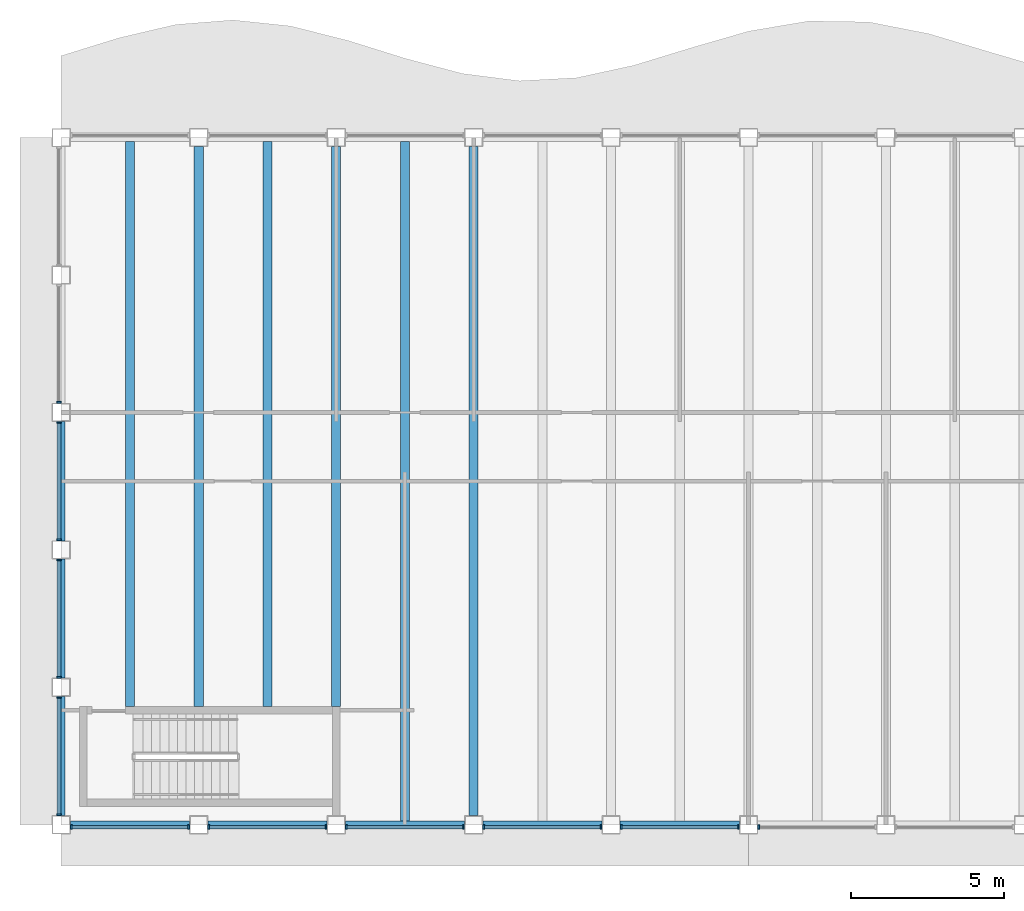
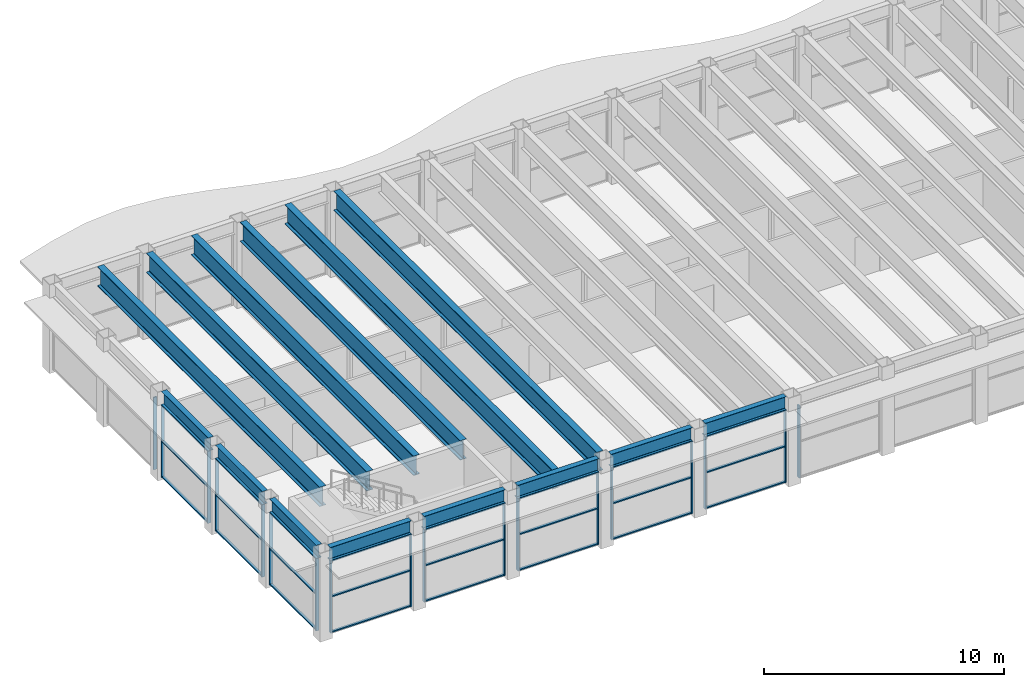
# One storey, part 2 of 15: 42 members, 14 beams, 10 elements without a shape of their own.
"""IFC4 building model written with IfcOpenShell, lengths in metres."""

from ifc_helpers import new_model, si_unit, direction, frame, origin, origin_2d, place, context, subcontext, project, spatial, rectangle, i_section, extrude, material, material_profile, profile_set, type_object, element, aggregate, save


model = new_model("IFC4")

# Units and contexts
model_context = context("Model", 3, precision=1e-05, world=origin(), true_north=direction((0.0, 1.0)))
body_context = subcontext(model_context, "Body", "Model", "MODEL_VIEW")
ifc_project = project(units=[si_unit("LENGTHUNIT", "METRE"), si_unit("AREAUNIT", "SQUARE_METRE"), si_unit("VOLUMEUNIT", "CUBIC_METRE"), si_unit("PLANEANGLEUNIT", "RADIAN"), si_unit("MASSUNIT", "GRAM", prefix="KILO")], contexts=[model_context])

# Site, building, storey
site_placement = place(None, origin())
site = spatial("IfcSite", under=ifc_project, at=site_placement, CompositionType="ELEMENT")
building_placement = place(site_placement, origin())
building = spatial("IfcBuilding", under=site, at=building_placement, Name="Sennacour Bend Tower", CompositionType="ELEMENT")
storey_placement = place(building_placement, frame((0.0, 0.0, 323.0)))
storey = spatial("IfcBuildingStorey", under=building, at=storey_placement, Name="L74", CompositionType="ELEMENT", Elevation=323.0)

# Curtain wall, members
ifc_material_1 = material(Name="Bronze anodised aluminium curtain wall with clear glass", Category="aluminium")
curtain_wall_type = type_object("IfcCurtainWallType", Name="CURTAIN WALL EXEC", PredefinedType="NOTDEFINED", material=ifc_material_1)
curtain_wall_1_placement = place(storey_placement, origin())
curtain_wall_1 = element("IfcCurtainWall", 1, at=curtain_wall_1_placement, inside=storey, type_object=curtain_wall_type, Name="Executive floor glass wall L74", PredefinedType="NOTDEFINED")
ifc_material_2 = material(Name="Aluminium 6063-T6", Category="aluminium")
ifc_material_profile_1 = material_profile(ifc_material_2, rectangle(XDim=0.14990234375, YDim=0.06005859375, at=origin_2d()), Name="Aluminium 6063-T6", Category="aluminium")
ifc_profile_set_1 = profile_set([ifc_material_profile_1], Name="Aluminium 6063-T6")
member_type_1 = type_object("IfcMemberType", Name="CW-MULLION-150X60", PredefinedType="MULLION", material=ifc_profile_set_1)
member_1_placement = place(storey_placement, frame((0.330078125, -0.074951171875, 0.0), z_axis=(0.0, 0.0, 1.0), x_axis=(0.0, 1.0, 0.0)))
member_1 = element("IfcMember", 2, at=member_1_placement, type_object=member_type_1, Name="GW3 curtain wall mullion 1", PredefinedType="MULLION", context=body_context, shape_type="SweptSolid", body=[
    extrude(rectangle(XDim=0.14990234375, YDim=0.06005859375, at=origin_2d()), origin(), (0.0, 0.0, 1.0), 3.672119140625),
])
member_2_placement = place(storey_placement, frame((4.169921875, -0.074951171875, 0.0), z_axis=(0.0, 0.0, 1.0), x_axis=(0.0, 1.0, 0.0)))
member_2 = element("IfcMember", 3, at=member_2_placement, type_object=member_type_1, Name="GW3 curtain wall mullion 2", PredefinedType="MULLION", context=body_context, shape_type="SweptSolid", body=[
    extrude(rectangle(XDim=0.14990234375, YDim=0.06005859375, at=origin_2d()), origin(), (0.0, 0.0, 1.0), 3.672119140625),
])

curtain_wall_2_placement = place(storey_placement, origin())
curtain_wall_2 = element("IfcCurtainWall", 4, at=curtain_wall_2_placement, inside=storey, type_object=curtain_wall_type, Name="Executive floor glass wall L74", PredefinedType="NOTDEFINED")
member_3_placement = place(storey_placement, frame((4.830078125, -0.074951171875, 0.0), z_axis=(0.0, 0.0, 1.0), x_axis=(0.0, 1.0, 0.0)))
member_3 = element("IfcMember", 5, at=member_3_placement, type_object=member_type_1, Name="GW3 curtain wall mullion 1", PredefinedType="MULLION", context=body_context, shape_type="SweptSolid", body=[
    extrude(rectangle(XDim=0.14990234375, YDim=0.06005859375, at=origin_2d()), origin(), (0.0, 0.0, 1.0), 3.672119140625),
])
member_4_placement = place(storey_placement, frame((8.669921875, -0.074951171875, 0.0), z_axis=(0.0, 0.0, 1.0), x_axis=(0.0, 1.0, 0.0)))
member_4 = element("IfcMember", 6, at=member_4_placement, type_object=member_type_1, Name="GW3 curtain wall mullion 2", PredefinedType="MULLION", context=body_context, shape_type="SweptSolid", body=[
    extrude(rectangle(XDim=0.14990234375, YDim=0.06005859375, at=origin_2d()), origin(), (0.0, 0.0, 1.0), 3.672119140625),
])

curtain_wall_3_placement = place(storey_placement, origin())
curtain_wall_3 = element("IfcCurtainWall", 7, at=curtain_wall_3_placement, inside=storey, type_object=curtain_wall_type, Name="Executive floor glass wall L74", PredefinedType="NOTDEFINED")
member_5_placement = place(storey_placement, frame((9.330078125, -0.074951171875, 0.0), z_axis=(0.0, 0.0, 1.0), x_axis=(0.0, 1.0, 0.0)))
member_5 = element("IfcMember", 8, at=member_5_placement, type_object=member_type_1, Name="GW3 curtain wall mullion 1", PredefinedType="MULLION", context=body_context, shape_type="SweptSolid", body=[
    extrude(rectangle(XDim=0.14990234375, YDim=0.06005859375, at=origin_2d()), origin(), (0.0, 0.0, 1.0), 3.672119140625),
])
member_6_placement = place(storey_placement, frame((13.169921875, -0.074951171875, 0.0), z_axis=(0.0, 0.0, 1.0), x_axis=(0.0, 1.0, 0.0)))
member_6 = element("IfcMember", 9, at=member_6_placement, type_object=member_type_1, Name="GW3 curtain wall mullion 2", PredefinedType="MULLION", context=body_context, shape_type="SweptSolid", body=[
    extrude(rectangle(XDim=0.14990234375, YDim=0.06005859375, at=origin_2d()), origin(), (0.0, 0.0, 1.0), 3.672119140625),
])

curtain_wall_4_placement = place(storey_placement, origin())
curtain_wall_4 = element("IfcCurtainWall", 10, at=curtain_wall_4_placement, inside=storey, type_object=curtain_wall_type, Name="Executive floor glass wall L74", PredefinedType="NOTDEFINED")
member_7_placement = place(storey_placement, frame((13.830078125, -0.074951171875, 0.0), z_axis=(0.0, 0.0, 1.0), x_axis=(0.0, 1.0, 0.0)))
member_7 = element("IfcMember", 11, at=member_7_placement, type_object=member_type_1, Name="GW3 curtain wall mullion 1", PredefinedType="MULLION", context=body_context, shape_type="SweptSolid", body=[
    extrude(rectangle(XDim=0.14990234375, YDim=0.06005859375, at=origin_2d()), origin(), (0.0, 0.0, 1.0), 3.672119140625),
])
member_8_placement = place(storey_placement, frame((17.669921875, -0.074951171875, 0.0), z_axis=(0.0, 0.0, 1.0), x_axis=(0.0, 1.0, 0.0)))
member_8 = element("IfcMember", 12, at=member_8_placement, type_object=member_type_1, Name="GW3 curtain wall mullion 2", PredefinedType="MULLION", context=body_context, shape_type="SweptSolid", body=[
    extrude(rectangle(XDim=0.14990234375, YDim=0.06005859375, at=origin_2d()), origin(), (0.0, 0.0, 1.0), 3.672119140625),
])

curtain_wall_5_placement = place(storey_placement, origin())
curtain_wall_5 = element("IfcCurtainWall", 13, at=curtain_wall_5_placement, inside=storey, type_object=curtain_wall_type, Name="Executive floor glass wall L74", PredefinedType="NOTDEFINED")
member_9_placement = place(storey_placement, frame((18.330078125, -0.074951171875, 0.0), z_axis=(0.0, 0.0, 1.0), x_axis=(0.0, 1.0, 0.0)))
member_9 = element("IfcMember", 14, at=member_9_placement, type_object=member_type_1, Name="GW3 curtain wall mullion 1", PredefinedType="MULLION", context=body_context, shape_type="SweptSolid", body=[
    extrude(rectangle(XDim=0.14990234375, YDim=0.06005859375, at=origin_2d()), origin(), (0.0, 0.0, 1.0), 3.672119140625),
])
member_10_placement = place(storey_placement, frame((22.169921875, -0.074951171875, 0.0), z_axis=(0.0, 0.0, 1.0), x_axis=(0.0, 1.0, 0.0)))
member_10 = element("IfcMember", 15, at=member_10_placement, type_object=member_type_1, Name="GW3 curtain wall mullion 2", PredefinedType="MULLION", context=body_context, shape_type="SweptSolid", body=[
    extrude(rectangle(XDim=0.14990234375, YDim=0.06005859375, at=origin_2d()), origin(), (0.0, 0.0, 1.0), 3.672119140625),
])

# Curtain wall, member
curtain_wall_6_placement = place(storey_placement, origin())
curtain_wall_6 = element("IfcCurtainWall", 16, at=curtain_wall_6_placement, inside=storey, type_object=curtain_wall_type, Name="Executive floor glass wall L74", PredefinedType="NOTDEFINED")
member_11_placement = place(storey_placement, frame((22.830078125, -0.074951171875, 0.0), z_axis=(0.0, 0.0, 1.0), x_axis=(0.0, 1.0, 0.0)))
member_11 = element("IfcMember", 17, at=member_11_placement, type_object=member_type_1, Name="GW3 curtain wall mullion 1", PredefinedType="MULLION", context=body_context, shape_type="SweptSolid", body=[
    extrude(rectangle(XDim=0.14990234375, YDim=0.06005859375, at=origin_2d()), origin(), (0.0, 0.0, 1.0), 3.672119140625),
])
aggregate(curtain_wall_6, [member_11])

curtain_wall_7_placement = place(storey_placement, origin())
curtain_wall_7 = element("IfcCurtainWall", 18, at=curtain_wall_7_placement, inside=storey, type_object=curtain_wall_type, Name="Executive floor glass wall L74", PredefinedType="NOTDEFINED")
member_12_placement = place(storey_placement, frame((-0.074951171875, 13.830078125, 0.0), z_axis=(0.0, 0.0, 1.0), x_axis=(1.0, 0.0, 0.0)))
member_12 = element("IfcMember", 19, at=member_12_placement, type_object=member_type_1, Name="GW3 curtain wall mullion 2", PredefinedType="MULLION", context=body_context, shape_type="SweptSolid", body=[
    extrude(rectangle(XDim=0.14990234375, YDim=0.06005859375, at=origin_2d()), origin(), (0.0, 0.0, 1.0), 3.672119140625),
])
aggregate(curtain_wall_7, [member_12])

# Curtain wall, members
curtain_wall_8_placement = place(storey_placement, origin())
curtain_wall_8 = element("IfcCurtainWall", 20, at=curtain_wall_8_placement, inside=storey, type_object=curtain_wall_type, Name="Executive floor glass wall L74", PredefinedType="NOTDEFINED")
member_13_placement = place(storey_placement, frame((-0.074951171875, 13.169921875, 0.0), z_axis=(0.0, 0.0, 1.0), x_axis=(1.0, 0.0, 0.0)))
member_13 = element("IfcMember", 21, at=member_13_placement, type_object=member_type_1, Name="GW3 curtain wall mullion 1", PredefinedType="MULLION", context=body_context, shape_type="SweptSolid", body=[
    extrude(rectangle(XDim=0.14990234375, YDim=0.06005859375, at=origin_2d()), origin(), (0.0, 0.0, 1.0), 3.672119140625),
])
member_14_placement = place(storey_placement, frame((-0.074951171875, 9.330078125, 0.0), z_axis=(0.0, 0.0, 1.0), x_axis=(1.0, 0.0, 0.0)))
member_14 = element("IfcMember", 22, at=member_14_placement, type_object=member_type_1, Name="GW3 curtain wall mullion 2", PredefinedType="MULLION", context=body_context, shape_type="SweptSolid", body=[
    extrude(rectangle(XDim=0.14990234375, YDim=0.06005859375, at=origin_2d()), origin(), (0.0, 0.0, 1.0), 3.672119140625),
])

curtain_wall_9_placement = place(storey_placement, origin())
curtain_wall_9 = element("IfcCurtainWall", 23, at=curtain_wall_9_placement, inside=storey, type_object=curtain_wall_type, Name="Executive floor glass wall L74", PredefinedType="NOTDEFINED")
member_15_placement = place(storey_placement, frame((-0.074951171875, 8.669921875, 0.0), z_axis=(0.0, 0.0, 1.0), x_axis=(1.0, 0.0, 0.0)))
member_15 = element("IfcMember", 24, at=member_15_placement, type_object=member_type_1, Name="GW3 curtain wall mullion 1", PredefinedType="MULLION", context=body_context, shape_type="SweptSolid", body=[
    extrude(rectangle(XDim=0.14990234375, YDim=0.06005859375, at=origin_2d()), origin(), (0.0, 0.0, 1.0), 3.672119140625),
])
member_16_placement = place(storey_placement, frame((-0.074951171875, 4.830078125, 0.0), z_axis=(0.0, 0.0, 1.0), x_axis=(1.0, 0.0, 0.0)))
member_16 = element("IfcMember", 25, at=member_16_placement, type_object=member_type_1, Name="GW3 curtain wall mullion 2", PredefinedType="MULLION", context=body_context, shape_type="SweptSolid", body=[
    extrude(rectangle(XDim=0.14990234375, YDim=0.06005859375, at=origin_2d()), origin(), (0.0, 0.0, 1.0), 3.672119140625),
])

curtain_wall_10_placement = place(storey_placement, origin())
curtain_wall_10 = element("IfcCurtainWall", 26, at=curtain_wall_10_placement, inside=storey, type_object=curtain_wall_type, Name="Executive floor glass wall L74", PredefinedType="NOTDEFINED")
member_17_placement = place(storey_placement, frame((-0.074951171875, 4.169921875, 0.0), z_axis=(0.0, 0.0, 1.0), x_axis=(1.0, 0.0, 0.0)))
member_17 = element("IfcMember", 27, at=member_17_placement, type_object=member_type_1, Name="GW3 curtain wall mullion 1", PredefinedType="MULLION", context=body_context, shape_type="SweptSolid", body=[
    extrude(rectangle(XDim=0.14990234375, YDim=0.06005859375, at=origin_2d()), origin(), (0.0, 0.0, 1.0), 3.672119140625),
])
member_18_placement = place(storey_placement, frame((-0.074951171875, 0.330078125, 0.0), z_axis=(0.0, 0.0, 1.0), x_axis=(1.0, 0.0, 0.0)))
member_18 = element("IfcMember", 28, at=member_18_placement, type_object=member_type_1, Name="GW3 curtain wall mullion 2", PredefinedType="MULLION", context=body_context, shape_type="SweptSolid", body=[
    extrude(rectangle(XDim=0.14990234375, YDim=0.06005859375, at=origin_2d()), origin(), (0.0, 0.0, 1.0), 3.672119140625),
])

# Member
ifc_material_profile_2 = material_profile(ifc_material_2, rectangle(XDim=0.1201171875, YDim=0.06005859375, at=origin_2d()), Name="Aluminium 6063-T6", Category="aluminium")
ifc_profile_set_2 = profile_set([ifc_material_profile_2], Name="Aluminium 6063-T6")
member_type_2 = type_object("IfcMemberType", Name="CW-TRANSOM-120X60", PredefinedType="USERDEFINED", material=ifc_profile_set_2)
member_19_placement = place(storey_placement, frame((0.360107421875, -0.074951171875, 0.030029296875), z_axis=(1.0, 0.0, 0.0), x_axis=(0.0, 1.0, 0.0)))
member_19 = element("IfcMember", 29, at=member_19_placement, type_object=member_type_2, Name="GW3 curtain wall transom 1.1", ObjectType="TRANSOM", PredefinedType="USERDEFINED", context=body_context, shape_type="SweptSolid", body=[
    extrude(rectangle(XDim=0.1201171875, YDim=0.06005859375, at=origin_2d()), origin(), (0.0, 0.0, 1.0), 3.77978515625),
])

member_20_placement = place(storey_placement, frame((0.360107421875, -0.074951171875, 1.8359375), z_axis=(1.0, 0.0, 0.0), x_axis=(0.0, 1.0, 0.0)))
member_20 = element("IfcMember", 30, at=member_20_placement, type_object=member_type_2, Name="GW3 curtain wall transom 1.2", ObjectType="TRANSOM", PredefinedType="USERDEFINED", context=body_context, shape_type="SweptSolid", body=[
    extrude(rectangle(XDim=0.1201171875, YDim=0.06005859375, at=origin_2d()), origin(), (0.0, 0.0, 1.0), 3.77978515625),
])

member_21_placement = place(storey_placement, frame((0.360107421875, -0.074951171875, 3.64208984375), z_axis=(1.0, 0.0, 0.0), x_axis=(0.0, 1.0, 0.0)))
member_21 = element("IfcMember", 31, at=member_21_placement, type_object=member_type_2, Name="GW3 curtain wall transom 1.3", ObjectType="TRANSOM", PredefinedType="USERDEFINED", context=body_context, shape_type="SweptSolid", body=[
    extrude(rectangle(XDim=0.1201171875, YDim=0.06005859375, at=origin_2d()), origin(), (0.0, 0.0, 1.0), 3.77978515625),
])

aggregate(curtain_wall_1, [member_1, member_2, member_19, member_20, member_21])

member_22_placement = place(storey_placement, frame((4.860107421875, -0.074951171875, 0.030029296875), z_axis=(1.0, 0.0, 0.0), x_axis=(0.0, 1.0, 0.0)))
member_22 = element("IfcMember", 32, at=member_22_placement, type_object=member_type_2, Name="GW3 curtain wall transom 1.1", ObjectType="TRANSOM", PredefinedType="USERDEFINED", context=body_context, shape_type="SweptSolid", body=[
    extrude(rectangle(XDim=0.1201171875, YDim=0.06005859375, at=origin_2d()), origin(), (0.0, 0.0, 1.0), 3.77978515625),
])

member_23_placement = place(storey_placement, frame((4.860107421875, -0.074951171875, 1.8359375), z_axis=(1.0, 0.0, 0.0), x_axis=(0.0, 1.0, 0.0)))
member_23 = element("IfcMember", 33, at=member_23_placement, type_object=member_type_2, Name="GW3 curtain wall transom 1.2", ObjectType="TRANSOM", PredefinedType="USERDEFINED", context=body_context, shape_type="SweptSolid", body=[
    extrude(rectangle(XDim=0.1201171875, YDim=0.06005859375, at=origin_2d()), origin(), (0.0, 0.0, 1.0), 3.77978515625),
])

member_24_placement = place(storey_placement, frame((4.860107421875, -0.074951171875, 3.64208984375), z_axis=(1.0, 0.0, 0.0), x_axis=(0.0, 1.0, 0.0)))
member_24 = element("IfcMember", 34, at=member_24_placement, type_object=member_type_2, Name="GW3 curtain wall transom 1.3", ObjectType="TRANSOM", PredefinedType="USERDEFINED", context=body_context, shape_type="SweptSolid", body=[
    extrude(rectangle(XDim=0.1201171875, YDim=0.06005859375, at=origin_2d()), origin(), (0.0, 0.0, 1.0), 3.77978515625),
])

aggregate(curtain_wall_2, [member_3, member_4, member_22, member_23, member_24])

member_25_placement = place(storey_placement, frame((9.360107421875, -0.074951171875, 0.030029296875), z_axis=(1.0, 0.0, 0.0), x_axis=(0.0, 1.0, 0.0)))
member_25 = element("IfcMember", 35, at=member_25_placement, type_object=member_type_2, Name="GW3 curtain wall transom 1.1", ObjectType="TRANSOM", PredefinedType="USERDEFINED", context=body_context, shape_type="SweptSolid", body=[
    extrude(rectangle(XDim=0.1201171875, YDim=0.06005859375, at=origin_2d()), origin(), (0.0, 0.0, 1.0), 3.77978515625),
])

member_26_placement = place(storey_placement, frame((9.360107421875, -0.074951171875, 1.8359375), z_axis=(1.0, 0.0, 0.0), x_axis=(0.0, 1.0, 0.0)))
member_26 = element("IfcMember", 36, at=member_26_placement, type_object=member_type_2, Name="GW3 curtain wall transom 1.2", ObjectType="TRANSOM", PredefinedType="USERDEFINED", context=body_context, shape_type="SweptSolid", body=[
    extrude(rectangle(XDim=0.1201171875, YDim=0.06005859375, at=origin_2d()), origin(), (0.0, 0.0, 1.0), 3.77978515625),
])

member_27_placement = place(storey_placement, frame((9.360107421875, -0.074951171875, 3.64208984375), z_axis=(1.0, 0.0, 0.0), x_axis=(0.0, 1.0, 0.0)))
member_27 = element("IfcMember", 37, at=member_27_placement, type_object=member_type_2, Name="GW3 curtain wall transom 1.3", ObjectType="TRANSOM", PredefinedType="USERDEFINED", context=body_context, shape_type="SweptSolid", body=[
    extrude(rectangle(XDim=0.1201171875, YDim=0.06005859375, at=origin_2d()), origin(), (0.0, 0.0, 1.0), 3.77978515625),
])

aggregate(curtain_wall_3, [member_5, member_6, member_25, member_26, member_27])

member_28_placement = place(storey_placement, frame((13.860107421875, -0.074951171875, 0.030029296875), z_axis=(1.0, 0.0, 0.0), x_axis=(0.0, 1.0, 0.0)))
member_28 = element("IfcMember", 38, at=member_28_placement, type_object=member_type_2, Name="GW3 curtain wall transom 1.1", ObjectType="TRANSOM", PredefinedType="USERDEFINED", context=body_context, shape_type="SweptSolid", body=[
    extrude(rectangle(XDim=0.1201171875, YDim=0.06005859375, at=origin_2d()), origin(), (0.0, 0.0, 1.0), 3.77978515625),
])

member_29_placement = place(storey_placement, frame((13.860107421875, -0.074951171875, 1.8359375), z_axis=(1.0, 0.0, 0.0), x_axis=(0.0, 1.0, 0.0)))
member_29 = element("IfcMember", 39, at=member_29_placement, type_object=member_type_2, Name="GW3 curtain wall transom 1.2", ObjectType="TRANSOM", PredefinedType="USERDEFINED", context=body_context, shape_type="SweptSolid", body=[
    extrude(rectangle(XDim=0.1201171875, YDim=0.06005859375, at=origin_2d()), origin(), (0.0, 0.0, 1.0), 3.77978515625),
])

member_30_placement = place(storey_placement, frame((13.860107421875, -0.074951171875, 3.64208984375), z_axis=(1.0, 0.0, 0.0), x_axis=(0.0, 1.0, 0.0)))
member_30 = element("IfcMember", 40, at=member_30_placement, type_object=member_type_2, Name="GW3 curtain wall transom 1.3", ObjectType="TRANSOM", PredefinedType="USERDEFINED", context=body_context, shape_type="SweptSolid", body=[
    extrude(rectangle(XDim=0.1201171875, YDim=0.06005859375, at=origin_2d()), origin(), (0.0, 0.0, 1.0), 3.77978515625),
])

aggregate(curtain_wall_4, [member_7, member_8, member_28, member_29, member_30])

member_31_placement = place(storey_placement, frame((18.360107421875, -0.074951171875, 0.030029296875), z_axis=(1.0, 0.0, 0.0), x_axis=(0.0, 1.0, 0.0)))
member_31 = element("IfcMember", 41, at=member_31_placement, type_object=member_type_2, Name="GW3 curtain wall transom 1.1", ObjectType="TRANSOM", PredefinedType="USERDEFINED", context=body_context, shape_type="SweptSolid", body=[
    extrude(rectangle(XDim=0.1201171875, YDim=0.06005859375, at=origin_2d()), origin(), (0.0, 0.0, 1.0), 3.77978515625),
])

member_32_placement = place(storey_placement, frame((18.360107421875, -0.074951171875, 1.8359375), z_axis=(1.0, 0.0, 0.0), x_axis=(0.0, 1.0, 0.0)))
member_32 = element("IfcMember", 42, at=member_32_placement, type_object=member_type_2, Name="GW3 curtain wall transom 1.2", ObjectType="TRANSOM", PredefinedType="USERDEFINED", context=body_context, shape_type="SweptSolid", body=[
    extrude(rectangle(XDim=0.1201171875, YDim=0.06005859375, at=origin_2d()), origin(), (0.0, 0.0, 1.0), 3.77978515625),
])

member_33_placement = place(storey_placement, frame((18.360107421875, -0.074951171875, 3.64208984375), z_axis=(1.0, 0.0, 0.0), x_axis=(0.0, 1.0, 0.0)))
member_33 = element("IfcMember", 43, at=member_33_placement, type_object=member_type_2, Name="GW3 curtain wall transom 1.3", ObjectType="TRANSOM", PredefinedType="USERDEFINED", context=body_context, shape_type="SweptSolid", body=[
    extrude(rectangle(XDim=0.1201171875, YDim=0.06005859375, at=origin_2d()), origin(), (0.0, 0.0, 1.0), 3.77978515625),
])

aggregate(curtain_wall_5, [member_9, member_10, member_31, member_32, member_33])

member_34_placement = place(storey_placement, frame((-0.074951171875, 13.139892578125, 0.030029296875), z_axis=(0.0, -1.0, 0.0), x_axis=(1.0, 0.0, 0.0)))
member_34 = element("IfcMember", 44, at=member_34_placement, type_object=member_type_2, Name="GW3 curtain wall transom 1.1", ObjectType="TRANSOM", PredefinedType="USERDEFINED", context=body_context, shape_type="SweptSolid", body=[
    extrude(rectangle(XDim=0.1201171875, YDim=0.06005859375, at=origin_2d()), origin(), (0.0, 0.0, 1.0), 3.77978515625),
])

member_35_placement = place(storey_placement, frame((-0.074951171875, 13.139892578125, 1.8359375), z_axis=(0.0, -1.0, 0.0), x_axis=(1.0, 0.0, 0.0)))
member_35 = element("IfcMember", 45, at=member_35_placement, type_object=member_type_2, Name="GW3 curtain wall transom 1.2", ObjectType="TRANSOM", PredefinedType="USERDEFINED", context=body_context, shape_type="SweptSolid", body=[
    extrude(rectangle(XDim=0.1201171875, YDim=0.06005859375, at=origin_2d()), origin(), (0.0, 0.0, 1.0), 3.77978515625),
])

member_36_placement = place(storey_placement, frame((-0.074951171875, 13.139892578125, 3.64208984375), z_axis=(0.0, -1.0, 0.0), x_axis=(1.0, 0.0, 0.0)))
member_36 = element("IfcMember", 46, at=member_36_placement, type_object=member_type_2, Name="GW3 curtain wall transom 1.3", ObjectType="TRANSOM", PredefinedType="USERDEFINED", context=body_context, shape_type="SweptSolid", body=[
    extrude(rectangle(XDim=0.1201171875, YDim=0.06005859375, at=origin_2d()), origin(), (0.0, 0.0, 1.0), 3.77978515625),
])

aggregate(curtain_wall_8, [member_13, member_14, member_34, member_35, member_36])

member_37_placement = place(storey_placement, frame((-0.074951171875, 8.639892578125, 0.030029296875), z_axis=(0.0, -1.0, 0.0), x_axis=(1.0, 0.0, 0.0)))
member_37 = element("IfcMember", 47, at=member_37_placement, type_object=member_type_2, Name="GW3 curtain wall transom 1.1", ObjectType="TRANSOM", PredefinedType="USERDEFINED", context=body_context, shape_type="SweptSolid", body=[
    extrude(rectangle(XDim=0.1201171875, YDim=0.06005859375, at=origin_2d()), origin(), (0.0, 0.0, 1.0), 3.77978515625),
])

member_38_placement = place(storey_placement, frame((-0.074951171875, 8.639892578125, 1.8359375), z_axis=(0.0, -1.0, 0.0), x_axis=(1.0, 0.0, 0.0)))
member_38 = element("IfcMember", 48, at=member_38_placement, type_object=member_type_2, Name="GW3 curtain wall transom 1.2", ObjectType="TRANSOM", PredefinedType="USERDEFINED", context=body_context, shape_type="SweptSolid", body=[
    extrude(rectangle(XDim=0.1201171875, YDim=0.06005859375, at=origin_2d()), origin(), (0.0, 0.0, 1.0), 3.77978515625),
])

member_39_placement = place(storey_placement, frame((-0.074951171875, 8.639892578125, 3.64208984375), z_axis=(0.0, -1.0, 0.0), x_axis=(1.0, 0.0, 0.0)))
member_39 = element("IfcMember", 49, at=member_39_placement, type_object=member_type_2, Name="GW3 curtain wall transom 1.3", ObjectType="TRANSOM", PredefinedType="USERDEFINED", context=body_context, shape_type="SweptSolid", body=[
    extrude(rectangle(XDim=0.1201171875, YDim=0.06005859375, at=origin_2d()), origin(), (0.0, 0.0, 1.0), 3.77978515625),
])

aggregate(curtain_wall_9, [member_15, member_16, member_37, member_38, member_39])

member_40_placement = place(storey_placement, frame((-0.074951171875, 4.139892578125, 0.030029296875), z_axis=(0.0, -1.0, 0.0), x_axis=(1.0, 0.0, 0.0)))
member_40 = element("IfcMember", 50, at=member_40_placement, type_object=member_type_2, Name="GW3 curtain wall transom 1.1", ObjectType="TRANSOM", PredefinedType="USERDEFINED", context=body_context, shape_type="SweptSolid", body=[
    extrude(rectangle(XDim=0.1201171875, YDim=0.06005859375, at=origin_2d()), origin(), (0.0, 0.0, 1.0), 3.77978515625),
])

member_41_placement = place(storey_placement, frame((-0.074951171875, 4.139892578125, 1.8359375), z_axis=(0.0, -1.0, 0.0), x_axis=(1.0, 0.0, 0.0)))
member_41 = element("IfcMember", 51, at=member_41_placement, type_object=member_type_2, Name="GW3 curtain wall transom 1.2", ObjectType="TRANSOM", PredefinedType="USERDEFINED", context=body_context, shape_type="SweptSolid", body=[
    extrude(rectangle(XDim=0.1201171875, YDim=0.06005859375, at=origin_2d()), origin(), (0.0, 0.0, 1.0), 3.77978515625),
])

member_42_placement = place(storey_placement, frame((-0.074951171875, 4.139892578125, 3.64208984375), z_axis=(0.0, -1.0, 0.0), x_axis=(1.0, 0.0, 0.0)))
member_42 = element("IfcMember", 52, at=member_42_placement, type_object=member_type_2, Name="GW3 curtain wall transom 1.3", ObjectType="TRANSOM", PredefinedType="USERDEFINED", context=body_context, shape_type="SweptSolid", body=[
    extrude(rectangle(XDim=0.1201171875, YDim=0.06005859375, at=origin_2d()), origin(), (0.0, 0.0, 1.0), 3.77978515625),
])

aggregate(curtain_wall_10, [member_17, member_18, member_40, member_41, member_42])

# Beams
ifc_material_3 = material(Name="Steel ASTM A992 Grade 50", Category="steel")
ifc_material_profile_3 = material_profile(ifc_material_3, i_section(OverallWidth=0.300048828125, OverallDepth=0.990966796875, WebThickness=0.0166015625, FlangeThickness=0.030517578125, FilletRadius=0.030029296875, at=origin_2d()), Name="Steel ASTM A992 Grade 50", Category="steel")
ifc_profile_set_3 = profile_set([ifc_material_profile_3], Name="Steel ASTM A992 Grade 50")
beam_type_1 = type_object("IfcBeamType", Name="Floor beam W1000X272", PredefinedType="BEAM", material=ifc_profile_set_3)
beam_1_placement = place(storey_placement, frame((2.25, 3.875, 3.8544921875), z_axis=(0.0, 1.0, 0.0), x_axis=(-1.0, 0.0, 0.0)))
element("IfcBeam", 53, at=beam_1_placement, inside=storey, type_object=beam_type_1, Name="Floor beam FBM3 L75-001", PredefinedType="BEAM", context=body_context, shape_type="SweptSolid", body=[
    extrude(i_section(OverallWidth=0.300048828125, OverallDepth=0.990966796875, WebThickness=0.0166015625, FlangeThickness=0.030517578125, FilletRadius=0.030029296875, at=origin_2d()), origin(), (0.0, 0.0, 1.0), 18.498046875),
])
beam_2_placement = place(storey_placement, frame((4.5, 3.875, 3.8544921875), z_axis=(0.0, 1.0, 0.0), x_axis=(-1.0, 0.0, 0.0)))
element("IfcBeam", 54, at=beam_2_placement, inside=storey, type_object=beam_type_1, Name="Floor beam FBM3 L75-002", PredefinedType="BEAM", context=body_context, shape_type="SweptSolid", body=[
    extrude(i_section(OverallWidth=0.300048828125, OverallDepth=0.990966796875, WebThickness=0.0166015625, FlangeThickness=0.030517578125, FilletRadius=0.030029296875, at=origin_2d()), origin(), (0.0, 0.0, 1.0), 18.324951171875),
])
beam_3_placement = place(storey_placement, frame((6.75, 3.875, 3.8544921875), z_axis=(0.0, 1.0, 0.0), x_axis=(-1.0, 0.0, 0.0)))
element("IfcBeam", 55, at=beam_3_placement, inside=storey, type_object=beam_type_1, Name="Floor beam FBM3 L75-003", PredefinedType="BEAM", context=body_context, shape_type="SweptSolid", body=[
    extrude(i_section(OverallWidth=0.300048828125, OverallDepth=0.990966796875, WebThickness=0.0166015625, FlangeThickness=0.030517578125, FilletRadius=0.030029296875, at=origin_2d()), origin(), (0.0, 0.0, 1.0), 18.498046875),
])
beam_4_placement = place(storey_placement, frame((9.0, 3.875, 3.8544921875), z_axis=(0.0, 1.0, 0.0), x_axis=(-1.0, 0.0, 0.0)))
element("IfcBeam", 56, at=beam_4_placement, inside=storey, type_object=beam_type_1, Name="Floor beam FBM3 L75-004", PredefinedType="BEAM", context=body_context, shape_type="SweptSolid", body=[
    extrude(i_section(OverallWidth=0.300048828125, OverallDepth=0.990966796875, WebThickness=0.0166015625, FlangeThickness=0.030517578125, FilletRadius=0.030029296875, at=origin_2d()), origin(), (0.0, 0.0, 1.0), 18.324951171875),
])
beam_5_placement = place(storey_placement, frame((11.25, 0.126953125, 3.8544921875), z_axis=(0.0, 1.0, 0.0), x_axis=(-1.0, 0.0, 0.0)))
element("IfcBeam", 57, at=beam_5_placement, inside=storey, type_object=beam_type_1, Name="Floor beam FBM3 L75-005", PredefinedType="BEAM", context=body_context, shape_type="SweptSolid", body=[
    extrude(i_section(OverallWidth=0.300048828125, OverallDepth=0.990966796875, WebThickness=0.0166015625, FlangeThickness=0.030517578125, FilletRadius=0.030029296875, at=origin_2d()), origin(), (0.0, 0.0, 1.0), 22.24609375),
])
beam_6_placement = place(storey_placement, frame((13.5, 0.300048828125, 3.8544921875), z_axis=(0.0, 1.0, 0.0), x_axis=(-1.0, 0.0, 0.0)))
element("IfcBeam", 58, at=beam_6_placement, inside=storey, type_object=beam_type_1, Name="Floor beam FBM3 L75-006", PredefinedType="BEAM", context=body_context, shape_type="SweptSolid", body=[
    extrude(i_section(OverallWidth=0.300048828125, OverallDepth=0.990966796875, WebThickness=0.0166015625, FlangeThickness=0.030517578125, FilletRadius=0.030029296875, at=origin_2d()), origin(), (0.0, 0.0, 1.0), 21.89990234375),
])
ifc_material_profile_4 = material_profile(ifc_material_3, i_section(OverallWidth=0.25390625, OverallDepth=0.677978515625, WebThickness=0.01171875, FlangeThickness=0.016357421875, FilletRadius=0.01513671875, at=origin_2d()), Name="Steel ASTM A992 Grade 50", Category="steel")
ifc_profile_set_4 = profile_set([ifc_material_profile_4], Name="Steel ASTM A992 Grade 50")
beam_type_2 = type_object("IfcBeamType", Name="Spandrel beam W690X125", PredefinedType="SPANDREL", material=ifc_profile_set_4)
for number, where, z_axis, x_axis, name in (
    (59, (0.0, 0.300048828125, 4.010986328125), (0.0, 1.0, 0.0), (-1.0, 0.0, 0.0), "Spandrel beam SP7 L75-001"),
    (60, (0.0, 4.800048828125, 4.010986328125), (0.0, 1.0, 0.0), (-1.0, 0.0, 0.0), "Spandrel beam SP7 L75-002"),
    (61, (0.0, 9.300048828125, 4.010986328125), (0.0, 1.0, 0.0), (-1.0, 0.0, 0.0), "Spandrel beam SP7 L75-003"),
    (62, (22.199951171875, 0.0, 4.010986328125), (-1.0, 0.0, 0.0), (0.0, -1.0, 0.0), "Spandrel beam SP7 L75-025"),
    (63, (17.699951171875, 0.0, 4.010986328125), (-1.0, 0.0, 0.0), (0.0, -1.0, 0.0), "Spandrel beam SP7 L75-026"),
    (64, (13.199951171875, 0.0, 4.010986328125), (-1.0, 0.0, 0.0), (0.0, -1.0, 0.0), "Spandrel beam SP7 L75-027"),
    (65, (8.699951171875, 0.0, 4.010986328125), (-1.0, 0.0, 0.0), (0.0, -1.0, 0.0), "Spandrel beam SP7 L75-028"),
    (66, (4.199951171875, 0.0, 4.010986328125), (-1.0, 0.0, 0.0), (0.0, -1.0, 0.0), "Spandrel beam SP7 L75-029"),
):
    element("IfcBeam", number, at=place(storey_placement, frame(where, z_axis=z_axis, x_axis=x_axis)), inside=storey, type_object=beam_type_2, Name=name, PredefinedType="SPANDREL", context=body_context, shape_type="SweptSolid", body=[
        extrude(i_section(OverallWidth=0.25390625, OverallDepth=0.677978515625, WebThickness=0.01171875, FlangeThickness=0.016357421875, FilletRadius=0.01513671875, at=origin_2d()), origin(), (0.0, 0.0, 1.0), 3.89990234375),
    ])

save(model, "model.ifc")
